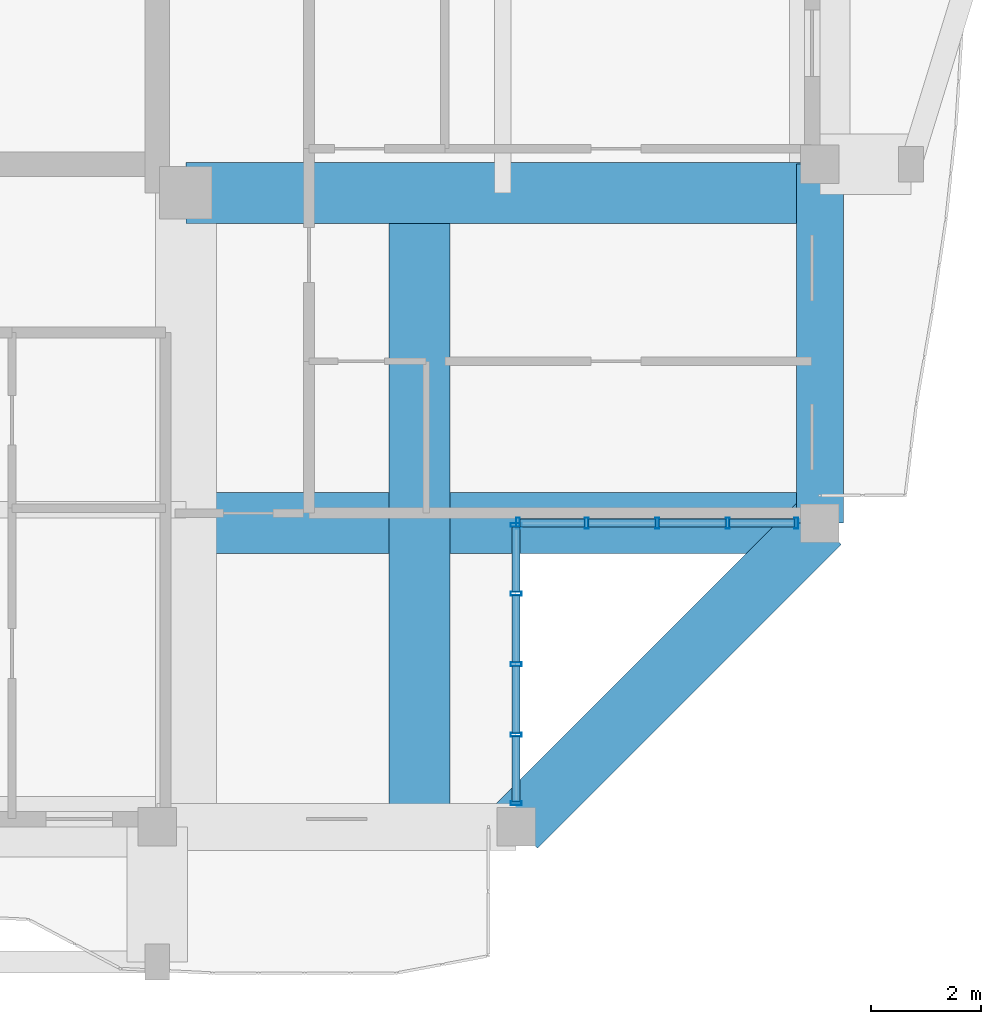
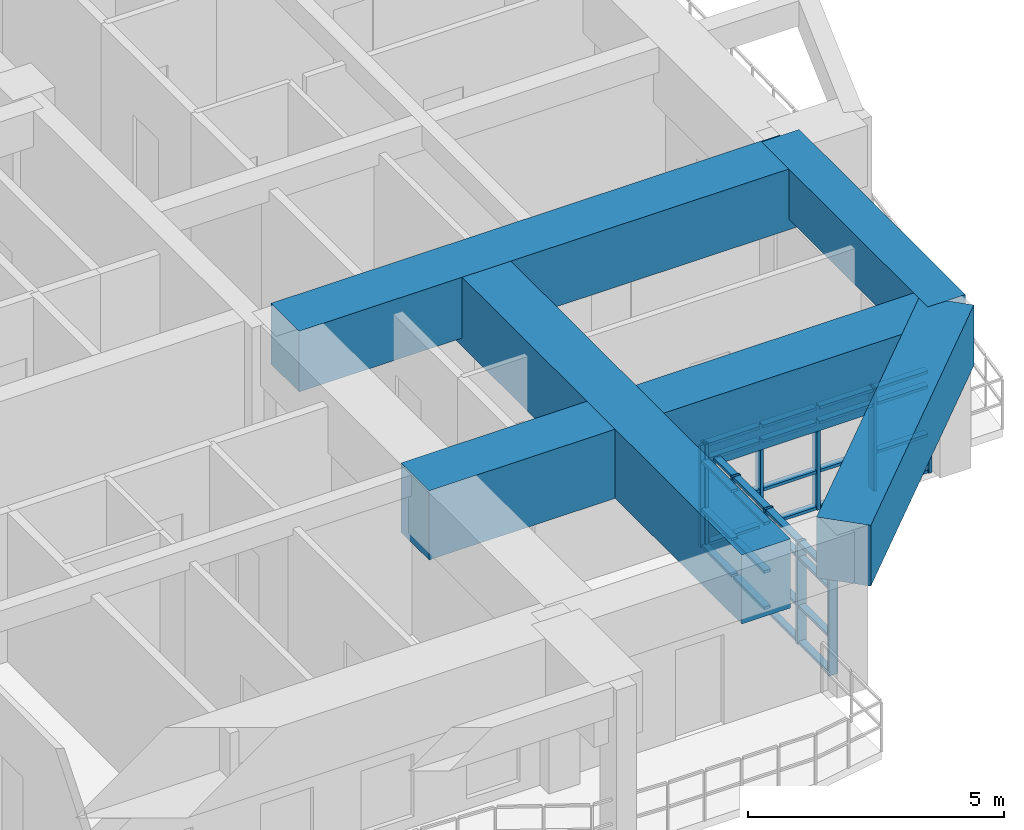
# One storey, part 4 of 22: 42 members, 5 beams, 2 elements without a shape of their own.
"""IFC4 building model written with IfcOpenShell, lengths in metres."""

import ifcopenshell
import ifcopenshell.guid

model = None  # the IFC model being written
_history = None  # IfcOwnerHistory: only IFC2X3 demands one
_inside = {}  # id of a spatial element -> (the spatial element, [elements in it])
_under = {}  # id of a project, library or spatial element -> (it, [spatial elements below it])
_declared = {}  # id of a project -> (the project, [libraries it declares])
_typed = {}  # id of a type object -> (the type object, [elements of that type])
_made_of = {}  # id of a material, layer set ... -> (it, [elements and type objects made of it])


def new_model(schema):
    """Start an empty IFC model of exactly this schema.

    Asked for "IFC4X3", IfcOpenShell would pick the latest addendum, in which some entities
    have other attributes; the version numbers below select the first issue.
    IFC2X3 requires an IfcOwnerHistory on every rooted entity: one is made here for all.
    """
    global model, _history
    if schema == "IFC4X3":
        model = ifcopenshell.file(schema_version=(4, 3, 0, 0))
    else:
        model = ifcopenshell.file(schema=schema)
    _inside.clear()
    _under.clear()
    _declared.clear()
    _typed.clear()
    _made_of.clear()
    _history = None
    if model.schema == "IFC2X3":
        org = make("IfcOrganization", Name="unknown")
        user = make(
            "IfcPersonAndOrganization",
            ThePerson=make("IfcPerson", FamilyName="unknown"),
            TheOrganization=org,
        )
        app = make(
            "IfcApplication",
            ApplicationDeveloper=org,
            Version="unknown",
            ApplicationFullName="unknown",
            ApplicationIdentifier="unknown",
        )
        _history = make(
            "IfcOwnerHistory",
            OwningUser=user,
            OwningApplication=app,
            ChangeAction="ADDED",
            CreationDate=0,
        )
    return model


def make(cls, **values):
    """One entity of the class cls with the attributes given. An attribute that is None is left unset."""
    return model.create_entity(
        cls, **{name: value for name, value in values.items() if value is not None}
    )


def rooted(cls, **values):
    """An entity with a GlobalId (a new one), such as an element, a storey or a relation."""
    return make(cls, GlobalId=ifcopenshell.guid.new(), OwnerHistory=_history, **values)


def si_unit(unit_type, name, prefix=None):
    """IfcSIUnit, for example si_unit("LENGTHUNIT", "METRE", prefix="MILLI")."""
    return make("IfcSIUnit", UnitType=unit_type, Prefix=prefix, Name=name)


def assignment(units):
    """IfcUnitAssignment: the units of a project."""
    return None if units is None else make("IfcUnitAssignment", Units=units)


def point(xyz):
    """IfcCartesianPoint."""
    return None if xyz is None else make("IfcCartesianPoint", Coordinates=xyz)


def direction(xyz):
    """IfcDirection."""
    return None if xyz is None else make("IfcDirection", DirectionRatios=xyz)


def frame(location, z_axis=None, x_axis=None):
    """IfcAxis2Placement3D, a coordinate frame: its origin and axes. An axis left out is left unset."""
    return make(
        "IfcAxis2Placement3D",
        Location=point(location),
        Axis=direction(z_axis),
        RefDirection=direction(x_axis),
    )


def frame_2d(location, x_axis=None):
    """IfcAxis2Placement2D, a coordinate frame in the plane: its origin and x axis."""
    return make(
        "IfcAxis2Placement2D", Location=point(location), RefDirection=direction(x_axis)
    )


def origin():
    """The frame at (0, 0, 0) with its axes left unset."""
    return frame((0.0, 0.0, 0.0))


def origin_2d():
    """The frame at (0, 0) in the plane with its x axis left unset."""
    return frame_2d((0.0, 0.0))


def place(relative_to, where):
    """IfcLocalPlacement: puts the frame where relative to a parent placement (None: the world)."""
    return make(
        "IfcLocalPlacement", PlacementRelTo=relative_to, RelativePlacement=where
    )


def context(
    kind, dimensions, precision=None, world=None, true_north=None, identifier=None
):
    """IfcGeometricRepresentationContext, for example the 3D "Model" context."""
    return make(
        "IfcGeometricRepresentationContext",
        ContextIdentifier=identifier,
        ContextType=kind,
        CoordinateSpaceDimension=dimensions,
        Precision=precision,
        WorldCoordinateSystem=world,
        TrueNorth=true_north,
    )


def subcontext(parent, identifier, kind, view, scale=None):
    """IfcGeometricRepresentationSubContext, for example "Body" below "Model"."""
    return make(
        "IfcGeometricRepresentationSubContext",
        ContextIdentifier=identifier,
        ContextType=kind,
        ParentContext=parent,
        TargetScale=scale,
        TargetView=view,
    )


def project(units=None, contexts=None):
    """IfcProject with its units and contexts."""
    return rooted(
        "IfcProject",
        Name="project",
        RepresentationContexts=contexts,
        UnitsInContext=assignment(units),
    )


def spatial(cls, under=None, at=None, **own):
    """A site, building, storey or space (cls), placed at a placement, below another one or the project."""
    s = rooted(cls, ObjectPlacement=at, **own)
    if under is not None:
        _under.setdefault(under.id(), (under, []))[1].append(s)
    return s


def profile(cls, at=None, kind="AREA", **sizes):
    """A parametric profile (cls). Its sizes go by their IFC names, for example OverallWidth=200.0."""
    return make(cls, ProfileType=kind, Position=at, **sizes)


def rectangle(**sizes):
    """IfcRectangleProfileDef."""
    return profile("IfcRectangleProfileDef", **sizes)


def hollow_rectangle(**sizes):
    """IfcRectangleHollowProfileDef."""
    return profile("IfcRectangleHollowProfileDef", **sizes)


def extrude(swept, where, along, depth):
    """IfcExtrudedAreaSolid: the profile swept, set in the frame where, extruded along a direction by depth."""
    return make(
        "IfcExtrudedAreaSolid",
        SweptArea=swept,
        Position=where,
        ExtrudedDirection=direction(along),
        Depth=depth,
    )


def shape(context_of_items, identifier, shape_type, items):
    """IfcShapeRepresentation: the items that make up one representation, for example the "Body"."""
    return make(
        "IfcShapeRepresentation",
        ContextOfItems=context_of_items,
        RepresentationIdentifier=identifier,
        RepresentationType=shape_type,
        Items=items,
    )


def source(mapping_origin, context_of_items, identifier, shape_type, items):
    """IfcRepresentationMap: a shape defined once, which mapped items show again and again."""
    return make(
        "IfcRepresentationMap",
        MappingOrigin=mapping_origin,
        MappedRepresentation=shape(context_of_items, identifier, shape_type, items),
    )


def transform(
    local_origin,
    x_axis=None,
    y_axis=None,
    z_axis=None,
    scale=None,
    scale2=None,
    scale3=None,
    uniform=True,
):
    """IfcCartesianTransformationOperator3D, or its non-uniform kind. x_axis, y_axis, z_axis: its Axis1, 2, 3."""
    if uniform:
        return make(
            "IfcCartesianTransformationOperator3D",
            Axis1=direction(x_axis),
            Axis2=direction(y_axis),
            LocalOrigin=point(local_origin),
            Scale=scale,
            Axis3=direction(z_axis),
        )
    return make(
        "IfcCartesianTransformationOperator3DnonUniform",
        Axis1=direction(x_axis),
        Axis2=direction(y_axis),
        LocalOrigin=point(local_origin),
        Scale=scale,
        Axis3=direction(z_axis),
        Scale2=scale2,
        Scale3=scale3,
    )


def mapped(mapping_source, mapping_target):
    """IfcMappedItem: shows the shape of a source again, moved by a transform."""
    return make(
        "IfcMappedItem", MappingSource=mapping_source, MappingTarget=mapping_target
    )


def material(Name=None, Category=None):
    """IfcMaterial."""
    return make("IfcMaterial", Name=Name, Category=Category)


def layer(
    of_material, thickness, ventilated=None, Name=None, Category=None, Priority=None
):
    """IfcMaterialLayer: one layer of a wall or slab, of a material (None: an air gap)."""
    return make(
        "IfcMaterialLayer",
        Material=of_material,
        LayerThickness=thickness,
        IsVentilated=ventilated,
        Name=Name,
        Category=Category,
        Priority=Priority,
    )


def layer_set(layers, Name=None):
    """IfcMaterialLayerSet."""
    return make("IfcMaterialLayerSet", MaterialLayers=layers, LayerSetName=Name)


def material_profile(
    of_material, cross_section, Name=None, Category=None, Priority=None
):
    """IfcMaterialProfile: a cross section and its material."""
    return make(
        "IfcMaterialProfile",
        Name=Name,
        Material=of_material,
        Profile=cross_section,
        Priority=Priority,
        Category=Category,
    )


def profile_set(profiles, Name=None, composite=None):
    """IfcMaterialProfileSet."""
    return make(
        "IfcMaterialProfileSet",
        Name=Name,
        MaterialProfiles=profiles,
        CompositeProfile=composite,
    )


def made_of(thing, what):
    """Note that an element or type object is made of a material, layer set ...; save() writes the relation."""
    if what is not None:
        _made_of.setdefault(what.id(), (what, []))[1].append(thing)
    return thing


def type_object(cls, material=None, **own):
    """A type object (cls), such as IfcWallType, which elements share."""
    return made_of(rooted(cls, **own), material)


def element(
    cls,
    number,
    at=None,
    inside=None,
    cuts=None,
    type_object=None,
    material=None,
    context=None,
    identifier="Body",
    shape_type=None,
    held_by="IfcProductDefinitionShape",
    body=None,
    shapes=None,
    **own,
):
    """One element of the class cls, such as IfcWall. Its Tag is "e" and its number.

    at: its placement. inside: the storey or other place that contains it. cuts: it is an
    opening in that element (IfcRelVoidsElement). A single representation is given by context,
    identifier, shape_type and body (its items); several are given by shapes. held_by: the class
    of the entity that holds the representations. save() writes the other relations.
    """
    e = rooted(cls, Tag="e%d" % number, ObjectPlacement=at, **own)
    if body is not None:
        shapes = [shape(context, identifier, shape_type, body)]
    if shapes is not None:
        e.Representation = make(held_by, Representations=shapes)
    if inside is not None:
        _inside.setdefault(inside.id(), (inside, []))[1].append(e)
    if cuts is not None:
        rooted(
            "IfcRelVoidsElement", RelatingBuildingElement=cuts, RelatedOpeningElement=e
        )
    if type_object is not None:
        _typed.setdefault(type_object.id(), (type_object, []))[1].append(e)
    return made_of(e, material)


def aggregate(whole, parts):
    """IfcRelAggregates: a whole, such as a stair, and the parts it consists of."""
    return rooted("IfcRelAggregates", RelatingObject=whole, RelatedObjects=parts)


def save(model, path):
    """Write the relations noted so far, then the file.

    IfcRelAggregates (storeys below a building ...), IfcRelContainedInSpatialStructure (elements
    in a storey), IfcRelDefinesByType, IfcRelAssociatesMaterial and IfcRelDeclares: one each for
    every whole, place, type object, material and project.
    """
    for whole, parts in _under.values():
        aggregate(whole, parts)
    for where, things in _inside.values():
        rooted(
            "IfcRelContainedInSpatialStructure",
            RelatedElements=things,
            RelatingStructure=where,
        )
    for kind, things in _typed.values():
        rooted("IfcRelDefinesByType", RelatedObjects=things, RelatingType=kind)
    for what, things in _made_of.values():
        rooted("IfcRelAssociatesMaterial", RelatedObjects=things, RelatingMaterial=what)
    for by, libraries in _declared.values():
        rooted("IfcRelDeclares", RelatingContext=by, RelatedDefinitions=libraries)
    model.write(path)


model = new_model("IFC4")

# Units and contexts
model_context = context("Model", 3, precision=1e-05, world=origin(), true_north=direction((0.0, 1.0)))
body_context = subcontext(model_context, "Body", "Model", "MODEL_VIEW")
ifc_project = project(units=[si_unit("LENGTHUNIT", "METRE"), si_unit("AREAUNIT", "SQUARE_METRE"), si_unit("VOLUMEUNIT", "CUBIC_METRE"), si_unit("PLANEANGLEUNIT", "RADIAN"), si_unit("MASSUNIT", "GRAM", prefix="KILO")], contexts=[model_context])

# Site, building, storey
site_placement = place(None, origin())
site = spatial("IfcSite", under=ifc_project, at=site_placement, CompositionType="ELEMENT")
building_placement = place(site_placement, origin())
building = spatial("IfcBuilding", under=site, at=building_placement, Name="Saelheon Loggia Tower", CompositionType="ELEMENT")
storey_placement = place(building_placement, frame((0.0, 0.0, 216.300048828125)))
storey = spatial("IfcBuildingStorey", under=building, at=storey_placement, Name="L67", CompositionType="ELEMENT", Elevation=216.300048828125)

# Beams
ifc_material_1 = material(Name="Concrete C50/60", Category="concrete")
ifc_material_profile_1 = material_profile(ifc_material_1, rectangle(XDim=1.10009765625, YDim=1.449951171875, at=origin_2d()), Name="RC-1100x1450")
ifc_profile_set_1 = profile_set([ifc_material_profile_1], Name="Concrete C50/60")
beam_type_1 = type_object("IfcBeamType", Name="Beam_Transfer_RC1100x1450", PredefinedType="BEAM", material=ifc_profile_set_1)
shared_shape_1 = source(origin(), body_context, "Body", "SweptSolid", [
    extrude(rectangle(XDim=1.10009765625, YDim=1.449951171875, at=origin_2d()), origin(), (0.0, 0.0, 1.0), 11.47998046875),
])
beam_1_placement = place(storey_placement, frame((45.02001953125, 17.47998046875, 3.175048828125), z_axis=(1.0, 0.0, 0.0), x_axis=(0.0, 1.0, 0.0)))
element("IfcBeam", 1, at=beam_1_placement, inside=storey, type_object=beam_type_1, Name="L67 Radial Floor Girder RAD-SE-E", PredefinedType="BEAM", context=body_context, shape_type="MappedRepresentation", body=[
    mapped(shared_shape_1, transform((0.0, 0.0, 0.0), scale=1.0)),
])
ifc_material_profile_2 = material_profile(ifc_material_1, rectangle(XDim=1.10009765625, YDim=1.64990234375, at=origin_2d()), Name="RC-1100x1650")
ifc_profile_set_2 = profile_set([ifc_material_profile_2], Name="Concrete C50/60")
beam_type_2 = type_object("IfcBeamType", Name="Beam_MegaTransfer_RC1100x1650", PredefinedType="BEAM", material=ifc_profile_set_2)
shared_shape_2 = source(origin(), body_context, "Body", "SweptSolid", [
    extrude(rectangle(XDim=1.10009765625, YDim=1.64990234375, at=origin_2d()), origin(), (0.0, 0.0, 1.0), 11.47998046875),
])
beam_2_placement = place(storey_placement, frame((49.25, 6.0, 3.074951171875), z_axis=(0.0, 1.0, 0.0), x_axis=(-1.0, 0.0, 0.0)))
element("IfcBeam", 2, at=beam_2_placement, inside=storey, type_object=beam_type_2, Name="TG-L67-NL-SE", PredefinedType="BEAM", context=body_context, shape_type="MappedRepresentation", body=[
    mapped(shared_shape_2, transform((0.0, 0.0, 0.0), scale=1.0)),
])
ifc_material_profile_3 = material_profile(ifc_material_1, rectangle(XDim=0.85009765625, YDim=1.199951171875, at=origin_2d()), Name="RC-850x1200")
ifc_profile_set_3 = profile_set([ifc_material_profile_3], Name="Concrete C50/60")
beam_type_3 = type_object("IfcBeamType", Name="Beam_CornerShoulder_RC850x1200", PredefinedType="BEAM", material=ifc_profile_set_3)
shared_shape_3 = source(origin(), body_context, "Body", "SweptSolid", [
    extrude(rectangle(XDim=0.85009765625, YDim=1.199951171875, at=origin_2d()), origin(), (0.0, 0.0, 1.0), 6.5),
])
beam_3_placement = place(storey_placement, frame((56.5, 11.5, 3.300048828125), z_axis=(0.0, 1.0, 0.0), x_axis=(-1.0, 0.0, 0.0)))
element("IfcBeam", 3, at=beam_3_placement, inside=storey, type_object=beam_type_3, Name="L67 Corner Shoulder Beam 05", PredefinedType="BEAM", context=body_context, shape_type="MappedRepresentation", body=[
    mapped(shared_shape_3, transform((0.0, 0.0, 0.0), scale=1.0)),
])
ifc_material_profile_4 = material_profile(ifc_material_1, rectangle(XDim=1.10009765625, YDim=1.449951171875, at=origin_2d()), Name="RC-1100x1450")
ifc_profile_set_4 = profile_set([ifc_material_profile_4], Name="Concrete C50/60")
beam_type_4 = type_object("IfcBeamType", Name="Beam_PerimTransfer_RC1100x1450", PredefinedType="BEAM", material=ifc_profile_set_4)
shared_shape_4 = source(origin(), body_context, "Body", "SweptSolid", [
    extrude(rectangle(XDim=1.10009765625, YDim=1.449951171875, at=origin_2d()), origin(), (0.0, 0.0, 1.0), 7.778076171875),
])
beam_4_placement = place(storey_placement, frame((51.0, 6.0, 3.175048828125), z_axis=(0.707106781187, 0.707106781187, 0.0), x_axis=(-0.707106781187, 0.707106781187, 0.0)))
element("IfcBeam", 4, at=beam_4_placement, inside=storey, type_object=beam_type_4, Name="L67 Perimeter Frame Girder 04", PredefinedType="BEAM", context=body_context, shape_type="MappedRepresentation", body=[
    mapped(shared_shape_4, transform((0.0, 0.0, 0.0), scale=1.0)),
])
shared_shape_5 = source(origin(), body_context, "Body", "SweptSolid", [
    extrude(rectangle(XDim=1.10009765625, YDim=1.64990234375, at=origin_2d()), origin(), (0.0, 0.0, 1.0), 12.0),
])
beam_5_placement = place(storey_placement, frame((44.5, 11.5, 3.074951171875), z_axis=(1.0, 0.0, 0.0), x_axis=(0.0, 1.0, 0.0)))
element("IfcBeam", 5, at=beam_5_placement, inside=storey, type_object=beam_type_2, Name="TG-L67-SH-SE", PredefinedType="BEAM", context=body_context, shape_type="MappedRepresentation", body=[
    mapped(shared_shape_5, transform((0.0, 0.0, 0.0), scale=1.0)),
])

# Curtain wall, members
ifc_material_2 = material(Name="High-Wind Aluminium and Triple Laminated Glass", Category="aluminium")
ifc_layer = layer(ifc_material_2, 0.179931640625)
ifc_layer_set = layer_set([ifc_layer], Name="High-Wind Aluminium and Triple Laminated Glass")
curtain_wall_type = type_object("IfcCurtainWallType", Name="CW_TowerLoggiaHigh", PredefinedType="NOTDEFINED", material=ifc_layer_set)
curtain_wall_1_placement = place(storey_placement, origin())
curtain_wall_1 = element("IfcCurtainWall", 6, at=curtain_wall_1_placement, inside=storey, type_object=curtain_wall_type, Name="L67 Corner Notch Glazing SE1", PredefinedType="NOTDEFINED")
ifc_material_3 = material(Name="Anodised Aluminium 6063-T6", Category="aluminium")
ifc_material_profile_5 = material_profile(ifc_material_3, hollow_rectangle(XDim=0.070068359375, YDim=0.199951171875, WallThickness=0.0048828125, at=origin_2d()), Name="RHS-200x70x5")
ifc_profile_set_5 = profile_set([ifc_material_profile_5], Name="Anodised Aluminium 6063-T6")
member_type_1 = type_object("IfcMemberType", Name="CW_TowerLoggiaHigh_Mullion", PredefinedType="MULLION", material=ifc_profile_set_5)
shared_shape_6 = source(origin(), body_context, "Body", "SweptSolid", [
    extrude(hollow_rectangle(XDim=0.070068359375, YDim=0.199951171875, WallThickness=0.0048828125, at=origin_2d()), origin(), (0.0, 0.0, 1.0), 2.43994140625),
])
member_1_placement = place(storey_placement, frame((51.0, 6.425048828125, 0.0), z_axis=(0.0, 0.0, 1.0), x_axis=(0.0, 1.0, 0.0)))
member_1 = element("IfcMember", 7, at=member_1_placement, type_object=member_type_1, Name="CW4 mullion 1", PredefinedType="MULLION", context=body_context, shape_type="MappedRepresentation", body=[
    mapped(shared_shape_6, transform((0.0, 0.0, 0.0), scale=1.0)),
])
member_2_placement = place(storey_placement, frame((51.0, 7.66748046875, 0.0), z_axis=(0.0, 0.0, 1.0), x_axis=(0.0, 1.0, 0.0)))
member_2 = element("IfcMember", 8, at=member_2_placement, type_object=member_type_1, Name="CW4 mullion 2", PredefinedType="MULLION", context=body_context, shape_type="MappedRepresentation", body=[
    mapped(shared_shape_6, transform((0.0, 0.0, 0.0), scale=1.0)),
])
member_3_placement = place(storey_placement, frame((51.0, 8.945068359375, 0.0), z_axis=(0.0, 0.0, 1.0), x_axis=(0.0, 1.0, 0.0)))
member_3 = element("IfcMember", 9, at=member_3_placement, type_object=member_type_1, Name="CW4 mullion 3", PredefinedType="MULLION", context=body_context, shape_type="MappedRepresentation", body=[
    mapped(shared_shape_6, transform((0.0, 0.0, 0.0), scale=1.0)),
])
member_4_placement = place(storey_placement, frame((51.0, 10.222412109375, 0.0), z_axis=(0.0, 0.0, 1.0), x_axis=(0.0, 1.0, 0.0)))
member_4 = element("IfcMember", 10, at=member_4_placement, type_object=member_type_1, Name="CW4 mullion 4", PredefinedType="MULLION", context=body_context, shape_type="MappedRepresentation", body=[
    mapped(shared_shape_6, transform((0.0, 0.0, 0.0), scale=1.0)),
])
member_5_placement = place(storey_placement, frame((51.0, 11.465087890625, 0.0), z_axis=(0.0, 0.0, 1.0), x_axis=(0.0, 1.0, 0.0)))
member_5 = element("IfcMember", 11, at=member_5_placement, type_object=member_type_1, Name="CW4 mullion 5", PredefinedType="MULLION", context=body_context, shape_type="MappedRepresentation", body=[
    mapped(shared_shape_6, transform((0.0, 0.0, 0.0), scale=1.0)),
])

curtain_wall_2_placement = place(storey_placement, origin())
curtain_wall_2 = element("IfcCurtainWall", 12, at=curtain_wall_2_placement, inside=storey, type_object=curtain_wall_type, Name="L67 Corner Notch Glazing SE2", PredefinedType="NOTDEFINED")
member_6_placement = place(storey_placement, frame((51.034912109375, 11.5, 0.0), z_axis=(0.0, 0.0, 1.0), x_axis=(1.0, 0.0, 0.0)))
member_6 = element("IfcMember", 13, at=member_6_placement, type_object=member_type_1, Name="CW4 mullion 1", PredefinedType="MULLION", context=body_context, shape_type="MappedRepresentation", body=[
    mapped(shared_shape_6, transform((0.0, 0.0, 0.0), scale=1.0)),
])
member_7_placement = place(storey_placement, frame((52.277587890625, 11.5, 0.0), z_axis=(0.0, 0.0, 1.0), x_axis=(1.0, 0.0, 0.0)))
member_7 = element("IfcMember", 14, at=member_7_placement, type_object=member_type_1, Name="CW4 mullion 2", PredefinedType="MULLION", context=body_context, shape_type="MappedRepresentation", body=[
    mapped(shared_shape_6, transform((0.0, 0.0, 0.0), scale=1.0)),
])
member_8_placement = place(storey_placement, frame((53.554931640625, 11.5, 0.0), z_axis=(0.0, 0.0, 1.0), x_axis=(1.0, 0.0, 0.0)))
member_8 = element("IfcMember", 15, at=member_8_placement, type_object=member_type_1, Name="CW4 mullion 3", PredefinedType="MULLION", context=body_context, shape_type="MappedRepresentation", body=[
    mapped(shared_shape_6, transform((0.0, 0.0, 0.0), scale=1.0)),
])
member_9_placement = place(storey_placement, frame((54.83251953125, 11.5, 0.0), z_axis=(0.0, 0.0, 1.0), x_axis=(1.0, 0.0, 0.0)))
member_9 = element("IfcMember", 16, at=member_9_placement, type_object=member_type_1, Name="CW4 mullion 4", PredefinedType="MULLION", context=body_context, shape_type="MappedRepresentation", body=[
    mapped(shared_shape_6, transform((0.0, 0.0, 0.0), scale=1.0)),
])
member_10_placement = place(storey_placement, frame((56.074951171875, 11.5, 0.0), z_axis=(0.0, 0.0, 1.0), x_axis=(1.0, 0.0, 0.0)))
member_10 = element("IfcMember", 17, at=member_10_placement, type_object=member_type_1, Name="CW4 mullion 5", PredefinedType="MULLION", context=body_context, shape_type="MappedRepresentation", body=[
    mapped(shared_shape_6, transform((0.0, 0.0, 0.0), scale=1.0)),
])

# Member
ifc_material_profile_6 = material_profile(ifc_material_3, hollow_rectangle(XDim=0.070068359375, YDim=0.14990234375, WallThickness=0.0048828125, at=origin_2d()), Name="RHS-150x70x5")
ifc_profile_set_6 = profile_set([ifc_material_profile_6], Name="Anodised Aluminium 6063-T6")
member_type_2 = type_object("IfcMemberType", Name="CW_TowerLoggiaHigh_Transom", PredefinedType="USERDEFINED", material=ifc_profile_set_6)
shared_shape_7 = source(origin(), body_context, "Body", "SweptSolid", [
    extrude(hollow_rectangle(XDim=0.070068359375, YDim=0.14990234375, WallThickness=0.0048828125, at=origin_2d()), origin(), (0.0, 0.0, 1.0), 1.172607421875),
])
member_11_placement = place(storey_placement, frame((51.0, 6.4599609375, 0.034912109375), z_axis=(0.0, 1.0, 0.0), x_axis=(0.0, 0.0, 1.0)))
member_11 = element("IfcMember", 18, at=member_11_placement, type_object=member_type_2, Name="CW4 transom 1.1", ObjectType="TRANSOM", PredefinedType="USERDEFINED", context=body_context, shape_type="MappedRepresentation", body=[
    mapped(shared_shape_7, transform((0.0, 0.0, 0.0), scale=1.0)),
])

member_12_placement = place(storey_placement, frame((51.0, 6.4599609375, 0.89990234375), z_axis=(0.0, 1.0, 0.0), x_axis=(0.0, 0.0, 1.0)))
member_12 = element("IfcMember", 19, at=member_12_placement, type_object=member_type_2, Name="CW4 transom 1.2", ObjectType="TRANSOM", PredefinedType="USERDEFINED", context=body_context, shape_type="MappedRepresentation", body=[
    mapped(shared_shape_7, transform((0.0, 0.0, 0.0), scale=1.0)),
])

member_13_placement = place(storey_placement, frame((51.0, 6.4599609375, 2.050048828125), z_axis=(0.0, 1.0, 0.0), x_axis=(0.0, 0.0, 1.0)))
member_13 = element("IfcMember", 20, at=member_13_placement, type_object=member_type_2, Name="CW4 transom 1.3", ObjectType="TRANSOM", PredefinedType="USERDEFINED", context=body_context, shape_type="MappedRepresentation", body=[
    mapped(shared_shape_7, transform((0.0, 0.0, 0.0), scale=1.0)),
])

member_14_placement = place(storey_placement, frame((51.0, 6.4599609375, 2.405029296875), z_axis=(0.0, 1.0, 0.0), x_axis=(0.0, 0.0, 1.0)))
member_14 = element("IfcMember", 21, at=member_14_placement, type_object=member_type_2, Name="CW4 transom 1.4", ObjectType="TRANSOM", PredefinedType="USERDEFINED", context=body_context, shape_type="MappedRepresentation", body=[
    mapped(shared_shape_7, transform((0.0, 0.0, 0.0), scale=1.0)),
])

member_15_placement = place(storey_placement, frame((54.867431640625, 11.5, 0.034912109375), z_axis=(1.0, 0.0, 0.0), x_axis=(0.0, 0.0, 1.0)))
member_15 = element("IfcMember", 22, at=member_15_placement, type_object=member_type_2, Name="CW4 transom 4.1", ObjectType="TRANSOM", PredefinedType="USERDEFINED", context=body_context, shape_type="MappedRepresentation", body=[
    mapped(shared_shape_7, transform((0.0, 0.0, 0.0), scale=1.0)),
])

member_16_placement = place(storey_placement, frame((54.867431640625, 11.5, 0.89990234375), z_axis=(1.0, 0.0, 0.0), x_axis=(0.0, 0.0, 1.0)))
member_16 = element("IfcMember", 23, at=member_16_placement, type_object=member_type_2, Name="CW4 transom 4.2", ObjectType="TRANSOM", PredefinedType="USERDEFINED", context=body_context, shape_type="MappedRepresentation", body=[
    mapped(shared_shape_7, transform((0.0, 0.0, 0.0), scale=1.0)),
])

member_17_placement = place(storey_placement, frame((54.867431640625, 11.5, 2.050048828125), z_axis=(1.0, 0.0, 0.0), x_axis=(0.0, 0.0, 1.0)))
member_17 = element("IfcMember", 24, at=member_17_placement, type_object=member_type_2, Name="CW4 transom 4.3", ObjectType="TRANSOM", PredefinedType="USERDEFINED", context=body_context, shape_type="MappedRepresentation", body=[
    mapped(shared_shape_7, transform((0.0, 0.0, 0.0), scale=1.0)),
])

member_18_placement = place(storey_placement, frame((54.867431640625, 11.5, 2.405029296875), z_axis=(1.0, 0.0, 0.0), x_axis=(0.0, 0.0, 1.0)))
member_18 = element("IfcMember", 25, at=member_18_placement, type_object=member_type_2, Name="CW4 transom 4.4", ObjectType="TRANSOM", PredefinedType="USERDEFINED", context=body_context, shape_type="MappedRepresentation", body=[
    mapped(shared_shape_7, transform((0.0, 0.0, 0.0), scale=1.0)),
])

shared_shape_8 = source(origin(), body_context, "Body", "SweptSolid", [
    extrude(hollow_rectangle(XDim=0.070068359375, YDim=0.14990234375, WallThickness=0.0048828125, at=origin_2d()), origin(), (0.0, 0.0, 1.0), 1.20751953125),
])
member_19_placement = place(storey_placement, frame((51.0, 7.702392578125, 0.034912109375), z_axis=(0.0, 1.0, 0.0), x_axis=(0.0, 0.0, 1.0)))
member_19 = element("IfcMember", 26, at=member_19_placement, type_object=member_type_2, Name="CW4 transom 2.1", ObjectType="TRANSOM", PredefinedType="USERDEFINED", context=body_context, shape_type="MappedRepresentation", body=[
    mapped(shared_shape_8, transform((0.0, 0.0, 0.0), scale=1.0)),
])

member_20_placement = place(storey_placement, frame((51.0, 7.702392578125, 0.89990234375), z_axis=(0.0, 1.0, 0.0), x_axis=(0.0, 0.0, 1.0)))
member_20 = element("IfcMember", 27, at=member_20_placement, type_object=member_type_2, Name="CW4 transom 2.2", ObjectType="TRANSOM", PredefinedType="USERDEFINED", context=body_context, shape_type="MappedRepresentation", body=[
    mapped(shared_shape_8, transform((0.0, 0.0, 0.0), scale=1.0)),
])

member_21_placement = place(storey_placement, frame((51.0, 7.702392578125, 2.050048828125), z_axis=(0.0, 1.0, 0.0), x_axis=(0.0, 0.0, 1.0)))
member_21 = element("IfcMember", 28, at=member_21_placement, type_object=member_type_2, Name="CW4 transom 2.3", ObjectType="TRANSOM", PredefinedType="USERDEFINED", context=body_context, shape_type="MappedRepresentation", body=[
    mapped(shared_shape_8, transform((0.0, 0.0, 0.0), scale=1.0)),
])

member_22_placement = place(storey_placement, frame((51.0, 7.702392578125, 2.405029296875), z_axis=(0.0, 1.0, 0.0), x_axis=(0.0, 0.0, 1.0)))
member_22 = element("IfcMember", 29, at=member_22_placement, type_object=member_type_2, Name="CW4 transom 2.4", ObjectType="TRANSOM", PredefinedType="USERDEFINED", context=body_context, shape_type="MappedRepresentation", body=[
    mapped(shared_shape_8, transform((0.0, 0.0, 0.0), scale=1.0)),
])

member_23_placement = place(storey_placement, frame((51.0, 8.97998046875, 0.034912109375), z_axis=(0.0, 1.0, 0.0), x_axis=(0.0, 0.0, 1.0)))
member_23 = element("IfcMember", 30, at=member_23_placement, type_object=member_type_2, Name="CW4 transom 3.1", ObjectType="TRANSOM", PredefinedType="USERDEFINED", context=body_context, shape_type="MappedRepresentation", body=[
    mapped(shared_shape_8, transform((0.0, 0.0, 0.0), scale=1.0)),
])

member_24_placement = place(storey_placement, frame((51.0, 8.97998046875, 0.89990234375), z_axis=(0.0, 1.0, 0.0), x_axis=(0.0, 0.0, 1.0)))
member_24 = element("IfcMember", 31, at=member_24_placement, type_object=member_type_2, Name="CW4 transom 3.2", ObjectType="TRANSOM", PredefinedType="USERDEFINED", context=body_context, shape_type="MappedRepresentation", body=[
    mapped(shared_shape_8, transform((0.0, 0.0, 0.0), scale=1.0)),
])

member_25_placement = place(storey_placement, frame((51.0, 8.97998046875, 2.050048828125), z_axis=(0.0, 1.0, 0.0), x_axis=(0.0, 0.0, 1.0)))
member_25 = element("IfcMember", 32, at=member_25_placement, type_object=member_type_2, Name="CW4 transom 3.3", ObjectType="TRANSOM", PredefinedType="USERDEFINED", context=body_context, shape_type="MappedRepresentation", body=[
    mapped(shared_shape_8, transform((0.0, 0.0, 0.0), scale=1.0)),
])

member_26_placement = place(storey_placement, frame((51.0, 8.97998046875, 2.405029296875), z_axis=(0.0, 1.0, 0.0), x_axis=(0.0, 0.0, 1.0)))
member_26 = element("IfcMember", 33, at=member_26_placement, type_object=member_type_2, Name="CW4 transom 3.4", ObjectType="TRANSOM", PredefinedType="USERDEFINED", context=body_context, shape_type="MappedRepresentation", body=[
    mapped(shared_shape_8, transform((0.0, 0.0, 0.0), scale=1.0)),
])

member_27_placement = place(storey_placement, frame((52.3125, 11.5, 0.034912109375), z_axis=(1.0, 0.0, 0.0), x_axis=(0.0, 0.0, 1.0)))
member_27 = element("IfcMember", 34, at=member_27_placement, type_object=member_type_2, Name="CW4 transom 2.1", ObjectType="TRANSOM", PredefinedType="USERDEFINED", context=body_context, shape_type="MappedRepresentation", body=[
    mapped(shared_shape_8, transform((0.0, 0.0, 0.0), scale=1.0)),
])

member_28_placement = place(storey_placement, frame((52.3125, 11.5, 0.89990234375), z_axis=(1.0, 0.0, 0.0), x_axis=(0.0, 0.0, 1.0)))
member_28 = element("IfcMember", 35, at=member_28_placement, type_object=member_type_2, Name="CW4 transom 2.2", ObjectType="TRANSOM", PredefinedType="USERDEFINED", context=body_context, shape_type="MappedRepresentation", body=[
    mapped(shared_shape_8, transform((0.0, 0.0, 0.0), scale=1.0)),
])

member_29_placement = place(storey_placement, frame((52.3125, 11.5, 2.050048828125), z_axis=(1.0, 0.0, 0.0), x_axis=(0.0, 0.0, 1.0)))
member_29 = element("IfcMember", 36, at=member_29_placement, type_object=member_type_2, Name="CW4 transom 2.3", ObjectType="TRANSOM", PredefinedType="USERDEFINED", context=body_context, shape_type="MappedRepresentation", body=[
    mapped(shared_shape_8, transform((0.0, 0.0, 0.0), scale=1.0)),
])

member_30_placement = place(storey_placement, frame((52.3125, 11.5, 2.405029296875), z_axis=(1.0, 0.0, 0.0), x_axis=(0.0, 0.0, 1.0)))
member_30 = element("IfcMember", 37, at=member_30_placement, type_object=member_type_2, Name="CW4 transom 2.4", ObjectType="TRANSOM", PredefinedType="USERDEFINED", context=body_context, shape_type="MappedRepresentation", body=[
    mapped(shared_shape_8, transform((0.0, 0.0, 0.0), scale=1.0)),
])

member_31_placement = place(storey_placement, frame((53.590087890625, 11.5, 0.034912109375), z_axis=(1.0, 0.0, 0.0), x_axis=(0.0, 0.0, 1.0)))
member_31 = element("IfcMember", 38, at=member_31_placement, type_object=member_type_2, Name="CW4 transom 3.1", ObjectType="TRANSOM", PredefinedType="USERDEFINED", context=body_context, shape_type="MappedRepresentation", body=[
    mapped(shared_shape_8, transform((0.0, 0.0, 0.0), scale=1.0)),
])

member_32_placement = place(storey_placement, frame((53.590087890625, 11.5, 0.89990234375), z_axis=(1.0, 0.0, 0.0), x_axis=(0.0, 0.0, 1.0)))
member_32 = element("IfcMember", 39, at=member_32_placement, type_object=member_type_2, Name="CW4 transom 3.2", ObjectType="TRANSOM", PredefinedType="USERDEFINED", context=body_context, shape_type="MappedRepresentation", body=[
    mapped(shared_shape_8, transform((0.0, 0.0, 0.0), scale=1.0)),
])

member_33_placement = place(storey_placement, frame((53.590087890625, 11.5, 2.050048828125), z_axis=(1.0, 0.0, 0.0), x_axis=(0.0, 0.0, 1.0)))
member_33 = element("IfcMember", 40, at=member_33_placement, type_object=member_type_2, Name="CW4 transom 3.3", ObjectType="TRANSOM", PredefinedType="USERDEFINED", context=body_context, shape_type="MappedRepresentation", body=[
    mapped(shared_shape_8, transform((0.0, 0.0, 0.0), scale=1.0)),
])

member_34_placement = place(storey_placement, frame((53.590087890625, 11.5, 2.405029296875), z_axis=(1.0, 0.0, 0.0), x_axis=(0.0, 0.0, 1.0)))
member_34 = element("IfcMember", 41, at=member_34_placement, type_object=member_type_2, Name="CW4 transom 3.4", ObjectType="TRANSOM", PredefinedType="USERDEFINED", context=body_context, shape_type="MappedRepresentation", body=[
    mapped(shared_shape_8, transform((0.0, 0.0, 0.0), scale=1.0)),
])

shared_shape_9 = source(origin(), body_context, "Body", "SweptSolid", [
    extrude(hollow_rectangle(XDim=0.070068359375, YDim=0.14990234375, WallThickness=0.0048828125, at=origin_2d()), origin(), (0.0, 0.0, 1.0), 1.17236328125),
])
member_35_placement = place(storey_placement, frame((51.0, 10.257568359375, 0.034912109375), z_axis=(0.0, 1.0, 0.0), x_axis=(0.0, 0.0, 1.0)))
member_35 = element("IfcMember", 42, at=member_35_placement, type_object=member_type_2, Name="CW4 transom 4.1", ObjectType="TRANSOM", PredefinedType="USERDEFINED", context=body_context, shape_type="MappedRepresentation", body=[
    mapped(shared_shape_9, transform((0.0, 0.0, 0.0), scale=1.0)),
])

member_36_placement = place(storey_placement, frame((51.0, 10.257568359375, 0.89990234375), z_axis=(0.0, 1.0, 0.0), x_axis=(0.0, 0.0, 1.0)))
member_36 = element("IfcMember", 43, at=member_36_placement, type_object=member_type_2, Name="CW4 transom 4.2", ObjectType="TRANSOM", PredefinedType="USERDEFINED", context=body_context, shape_type="MappedRepresentation", body=[
    mapped(shared_shape_9, transform((0.0, 0.0, 0.0), scale=1.0)),
])

member_37_placement = place(storey_placement, frame((51.0, 10.257568359375, 2.050048828125), z_axis=(0.0, 1.0, 0.0), x_axis=(0.0, 0.0, 1.0)))
member_37 = element("IfcMember", 44, at=member_37_placement, type_object=member_type_2, Name="CW4 transom 4.3", ObjectType="TRANSOM", PredefinedType="USERDEFINED", context=body_context, shape_type="MappedRepresentation", body=[
    mapped(shared_shape_9, transform((0.0, 0.0, 0.0), scale=1.0)),
])

member_38_placement = place(storey_placement, frame((51.0, 10.257568359375, 2.405029296875), z_axis=(0.0, 1.0, 0.0), x_axis=(0.0, 0.0, 1.0)))
member_38 = element("IfcMember", 45, at=member_38_placement, type_object=member_type_2, Name="CW4 transom 4.4", ObjectType="TRANSOM", PredefinedType="USERDEFINED", context=body_context, shape_type="MappedRepresentation", body=[
    mapped(shared_shape_9, transform((0.0, 0.0, 0.0), scale=1.0)),
])

aggregate(curtain_wall_1, [member_1, member_2, member_3, member_4, member_5, member_11, member_12, member_13, member_14, member_19, member_20, member_21, member_22, member_23, member_24, member_25, member_26, member_35, member_36, member_37, member_38])

member_39_placement = place(storey_placement, frame((51.070068359375, 11.5, 0.034912109375), z_axis=(1.0, 0.0, 0.0), x_axis=(0.0, 0.0, 1.0)))
member_39 = element("IfcMember", 46, at=member_39_placement, type_object=member_type_2, Name="CW4 transom 1.1", ObjectType="TRANSOM", PredefinedType="USERDEFINED", context=body_context, shape_type="MappedRepresentation", body=[
    mapped(shared_shape_9, transform((0.0, 0.0, 0.0), scale=1.0)),
])

member_40_placement = place(storey_placement, frame((51.070068359375, 11.5, 0.89990234375), z_axis=(1.0, 0.0, 0.0), x_axis=(0.0, 0.0, 1.0)))
member_40 = element("IfcMember", 47, at=member_40_placement, type_object=member_type_2, Name="CW4 transom 1.2", ObjectType="TRANSOM", PredefinedType="USERDEFINED", context=body_context, shape_type="MappedRepresentation", body=[
    mapped(shared_shape_9, transform((0.0, 0.0, 0.0), scale=1.0)),
])

member_41_placement = place(storey_placement, frame((51.070068359375, 11.5, 2.050048828125), z_axis=(1.0, 0.0, 0.0), x_axis=(0.0, 0.0, 1.0)))
member_41 = element("IfcMember", 48, at=member_41_placement, type_object=member_type_2, Name="CW4 transom 1.3", ObjectType="TRANSOM", PredefinedType="USERDEFINED", context=body_context, shape_type="MappedRepresentation", body=[
    mapped(shared_shape_9, transform((0.0, 0.0, 0.0), scale=1.0)),
])

member_42_placement = place(storey_placement, frame((51.070068359375, 11.5, 2.405029296875), z_axis=(1.0, 0.0, 0.0), x_axis=(0.0, 0.0, 1.0)))
member_42 = element("IfcMember", 49, at=member_42_placement, type_object=member_type_2, Name="CW4 transom 1.4", ObjectType="TRANSOM", PredefinedType="USERDEFINED", context=body_context, shape_type="MappedRepresentation", body=[
    mapped(shared_shape_9, transform((0.0, 0.0, 0.0), scale=1.0)),
])

aggregate(curtain_wall_2, [member_6, member_7, member_8, member_9, member_10, member_39, member_40, member_41, member_42, member_27, member_28, member_29, member_30, member_31, member_32, member_33, member_34, member_15, member_16, member_17, member_18])

save(model, "model.ifc")
